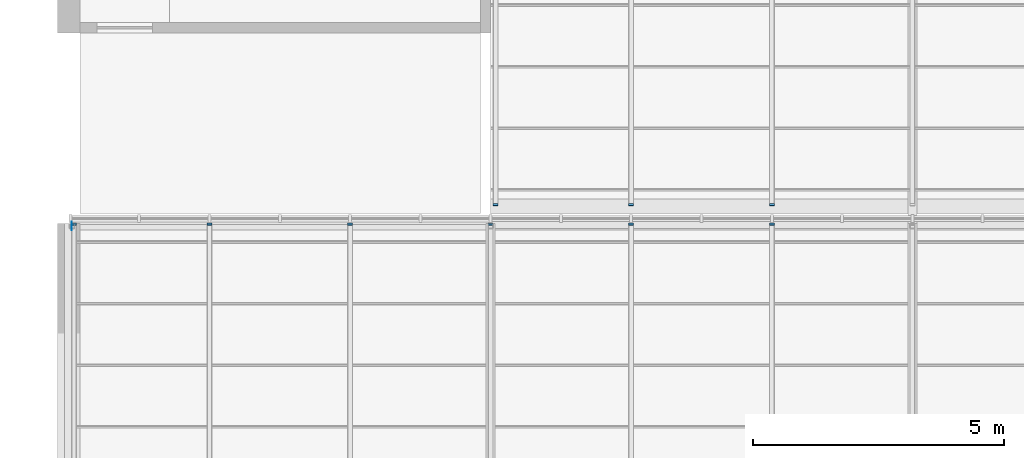
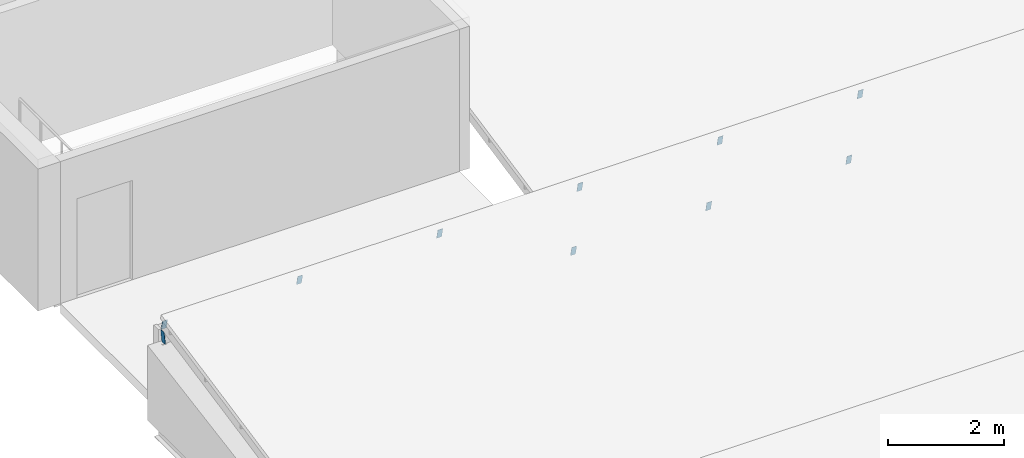
# One storey, part 102 of 121: 10 discrete accessories.
"""IFC4 building model written with IfcOpenShell, lengths in metres."""

from ifc_helpers import new_model, si_unit, direction, frame, origin, origin_2d, place, context, subcontext, project, spatial, rectangle, extrude, material, material_profile, profile_set, type_object, element, save


model = new_model("IFC4")

# Units and contexts
model_context = context("Model", 3, precision=1e-05, world=origin(), true_north=direction((0.0, 1.0)))
body_context = subcontext(model_context, "Body", "Model", "MODEL_VIEW")
ifc_project = project(units=[si_unit("LENGTHUNIT", "METRE"), si_unit("AREAUNIT", "SQUARE_METRE"), si_unit("VOLUMEUNIT", "CUBIC_METRE"), si_unit("PLANEANGLEUNIT", "RADIAN"), si_unit("MASSUNIT", "GRAM", prefix="KILO")], contexts=[model_context])

# Site, building, storey
site_placement = place(None, origin())
site = spatial("IfcSite", under=ifc_project, at=site_placement, CompositionType="ELEMENT")
building_placement = place(site_placement, origin())
building = spatial("IfcBuilding", under=site, at=building_placement, Name="Ardhachandra Cancer Care Centre", CompositionType="ELEMENT")
storey_placement = place(building_placement, frame((0.0, 0.0, 9.0)))
storey = spatial("IfcBuildingStorey", under=building, at=storey_placement, Name="L02", CompositionType="ELEMENT", Elevation=9.0)

# Discrete accessories
ifc_material_1 = material(Name="Galvanised flat steel (Steel E250 (IS 2062))", Category="steel")
ifc_material_profile_1 = material_profile(ifc_material_1, rectangle(XDim=0.10009765625, YDim=0.199951171875, at=origin_2d()), Name="Rafter end plate 200 x 100 x 8")
ifc_profile_set_1 = profile_set([ifc_material_profile_1], Name="Galvanised flat steel (Steel E250 (IS 2062))")
discrete_accessory_type_1 = type_object("IfcDiscreteAccessoryType", Name="Rafter end plate 200 x 100 x 8", PredefinedType="BRACKET", material=ifc_profile_set_1)
for number, where, z_axis, x_axis, name in (
    (1, (10.89990234375, 62.980224609375, 1.91796875), (0.0, 0.976900017396, 0.213696878805), (-1.0, 0.0, 0.0), "Rafter end plate T4a.1.2"),
    (2, (13.60009765625, 62.980224609375, 1.91796875), (0.0, 0.976900017396, 0.213696878805), (-1.0, 0.0, 0.0), "Rafter end plate T4a.2.2"),
    (3, (16.39990234375, 62.980224609375, 1.91796875), (0.0, 0.976900017396, 0.213696878805), (-1.0, 0.0, 0.0), "Rafter end plate T4a.3.2"),
    (4, (19.199951171875, 62.980224609375, 1.91796875), (0.0, 0.976900017396, 0.213696878805), (-1.0, 0.0, 0.0), "Rafter end plate T4a.4.2"),
    (5, (22.0, 62.980224609375, 1.91796875), (0.0, 0.976900017396, 0.213696878805), (-1.0, 0.0, 0.0), "Rafter end plate T4a.5.2"),
    (6, (24.800048828125, 62.980224609375, 1.91796875), (0.0, 0.976900017396, 0.213696878805), (-1.0, 0.0, 0.0), "Rafter end plate T4a.6.2"),
    (7, (19.300048828125, 63.380126953125, 0.298095703125), (0.0, -0.976900017396, -0.213696878805), (1.0, 0.0, 0.0), "Rafter end plate T5a.1.1"),
    (8, (22.0, 63.380126953125, 0.298095703125), (0.0, -0.976900017396, -0.213696878805), (1.0, 0.0, 0.0), "Rafter end plate T5a.2.1"),
    (9, (24.800048828125, 63.380126953125, 0.298095703125), (0.0, -0.976900017396, -0.213696878805), (1.0, 0.0, 0.0), "Rafter end plate T5a.3.1"),
):
    element("IfcDiscreteAccessory", number, at=place(storey_placement, frame(where, z_axis=z_axis, x_axis=x_axis)), inside=storey, type_object=discrete_accessory_type_1, Name=name, PredefinedType="BRACKET", context=body_context, shape_type="SweptSolid", body=[
        extrude(rectangle(XDim=0.10009765625, YDim=0.199951171875, at=origin_2d()), origin(), (0.0, 0.0, 1.0), 0.008056640625),
    ])
ifc_material_2 = material(Name="Galvanised flat steel (Steel E250 (IS 2062))", Category="steel")
ifc_material_profile_2 = material_profile(ifc_material_2, rectangle(XDim=0.1201171875, YDim=0.239990234375, at=origin_2d()), Name="Ridge beam end plate 240 x 120 x 8")
ifc_profile_set_2 = profile_set([ifc_material_profile_2], Name="Galvanised flat steel (Steel E250 (IS 2062))")
discrete_accessory_type_2 = type_object("IfcDiscreteAccessoryType", Name="Ridge beam end plate 240 x 120 x 8", PredefinedType="BRACKET", material=ifc_profile_set_2)
discrete_accessory_placement = place(storey_placement, frame((10.860107421875, 62.949951171875, 1.6875), z_axis=(-1.0, 0.0, 0.0), x_axis=(0.0, -0.980106641092, 0.198471590126)))
element("IfcDiscreteAccessory", 10, at=discrete_accessory_placement, inside=storey, type_object=discrete_accessory_type_2, Name="Ridge beam end plate T4a.1", PredefinedType="BRACKET", context=body_context, shape_type="SweptSolid", body=[
    extrude(rectangle(XDim=0.1201171875, YDim=0.239990234375, at=origin_2d()), origin(), (0.0, 0.0, 1.0), 0.008056640625),
])

save(model, "model.ifc")
